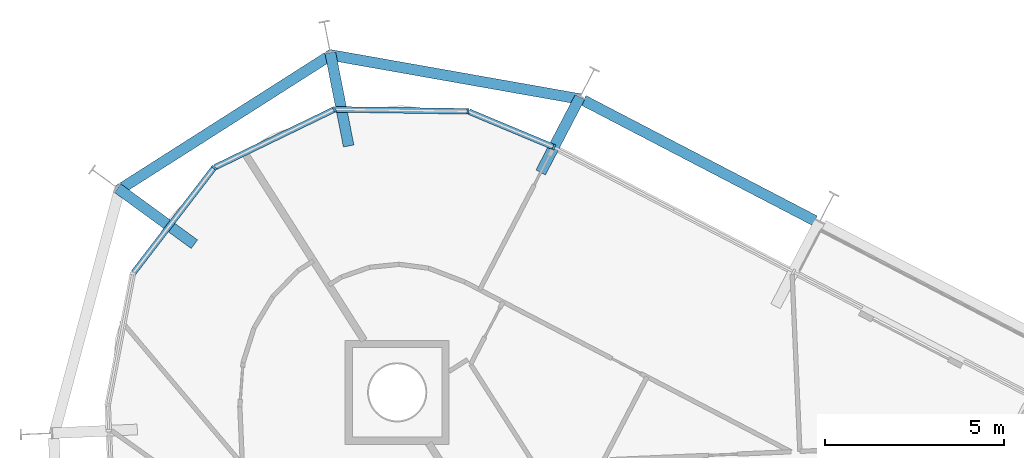
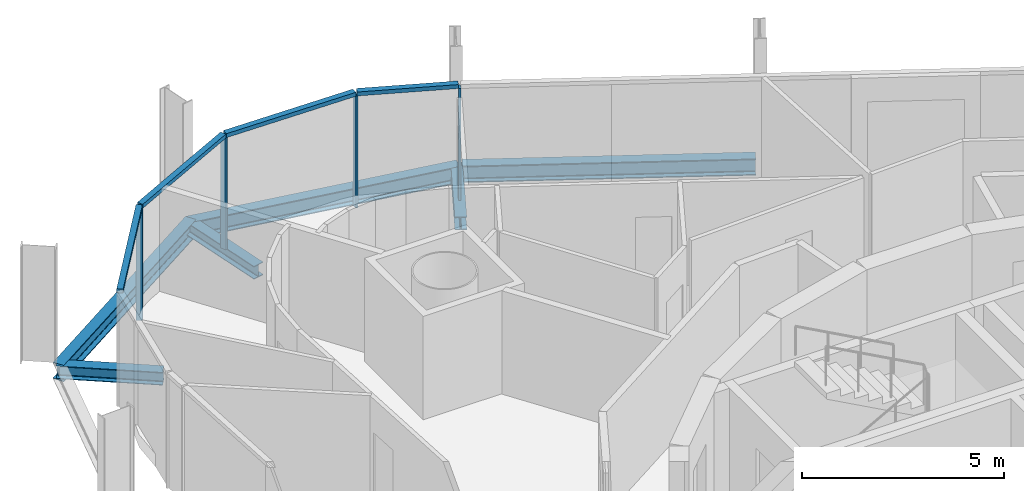
# One storey, part 8 of 18: 8 members, 6 beams, 1 element without a shape of its own.
"""IFC4 building model written with IfcOpenShell, lengths in metres."""

from ifc_helpers import new_model, si_unit, direction, frame, origin, origin_2d, place, context, subcontext, project, spatial, rectangle, i_section, extrude, material, layer, layer_set, material_profile, profile_set, type_object, element, aggregate, save


model = new_model("IFC4")

# Units and contexts
model_context = context("Model", 3, precision=1e-05, world=origin(), true_north=direction((0.0, 1.0)))
body_context = subcontext(model_context, "Body", "Model", "MODEL_VIEW")
ifc_project = project(units=[si_unit("LENGTHUNIT", "METRE"), si_unit("AREAUNIT", "SQUARE_METRE"), si_unit("VOLUMEUNIT", "CUBIC_METRE"), si_unit("PLANEANGLEUNIT", "RADIAN"), si_unit("MASSUNIT", "GRAM", prefix="KILO")], contexts=[model_context])

# Site, building, storey
site_placement = place(None, origin())
site = spatial("IfcSite", under=ifc_project, at=site_placement, CompositionType="ELEMENT")
building_placement = place(site_placement, origin())
building = spatial("IfcBuilding", under=site, at=building_placement, Name="Spindle Arch Residences", CompositionType="ELEMENT")
storey_placement = place(building_placement, frame((0.0, 0.0, 251.199951171875)))
storey = spatial("IfcBuildingStorey", under=building, at=storey_placement, Name="L64", CompositionType="ELEMENT", Elevation=251.199951171875)

# Curtain wall, members
ifc_material_1 = material(Name="Aluminium bronze unitised frame with tinted glass", Category="aluminium")
ifc_layer = layer(ifc_material_1, 0.159912109375)
ifc_layer_set = layer_set([ifc_layer], Name="CW-D corner wall on the fillet arcs")
curtain_wall_type = type_object("IfcCurtainWallType", Name="CW-D corner wall on the fillet arcs", PredefinedType="NOTDEFINED", material=ifc_layer_set)
curtain_wall_placement = place(storey_placement, origin())
curtain_wall = element("IfcCurtainWall", 1, at=curtain_wall_placement, inside=storey, type_object=curtain_wall_type, Name="CW-D L64 run 3", PredefinedType="NOTDEFINED")
ifc_material_2 = material(Name="Aluminium bronze anodised mullion", Category="aluminium")
ifc_material_profile_1 = material_profile(ifc_material_2, rectangle(XDim=0.159912109375, YDim=0.06005859375, at=origin_2d()), Name="MU 60x160")
ifc_profile_set_1 = profile_set([ifc_material_profile_1], Name="Aluminium bronze anodised mullion")
member_type_1 = type_object("IfcMemberType", Name="Bronze mullion 60x160", PredefinedType="MULLION", material=ifc_profile_set_1)
member_1_placement = place(storey_placement, frame((-6.19970703125, 23.423828125, -0.3798828125), z_axis=(0.0, 0.0, 1.0), x_axis=(-0.385552013734, -0.92268610302, 0.0)))
member_1 = element("IfcMember", 2, at=member_1_placement, type_object=member_type_1, Name="CW-D mullion 00", PredefinedType="MULLION", context=body_context, shape_type="SweptSolid", body=[
    extrude(rectangle(XDim=0.159912109375, YDim=0.06005859375, at=origin_2d()), origin(), (0.0, 0.0, 1.0), 3.3798828125),
])
member_2_placement = place(storey_placement, frame((-8.590576171875, 24.422607421875, -0.3798828125), z_axis=(0.0, 0.0, 1.0), x_axis=(-0.014543896145, -0.999894231949, 0.0)))
member_2 = element("IfcMember", 3, at=member_2_placement, type_object=member_type_1, Name="CW-D mullion 01", PredefinedType="MULLION", context=body_context, shape_type="SweptSolid", body=[
    extrude(rectangle(XDim=0.159912109375, YDim=0.06005859375, at=origin_2d()), origin(), (0.0, 0.0, 1.0), 3.3798828125),
])
member_3_placement = place(storey_placement, frame((-12.31689453125, 24.476806640625, -0.3798828125), z_axis=(0.0, 0.0, 1.0), x_axis=(0.435754815677, -0.900065409075, 0.0)))
member_3 = element("IfcMember", 4, at=member_3_placement, type_object=member_type_1, Name="CW-D mullion 02", PredefinedType="MULLION", context=body_context, shape_type="SweptSolid", body=[
    extrude(rectangle(XDim=0.159912109375, YDim=0.06005859375, at=origin_2d()), origin(), (0.0, 0.0, 1.0), 3.3798828125),
])
member_4_placement = place(storey_placement, frame((-15.671142578125, 22.85302734375, -0.3798828125), z_axis=(0.0, 0.0, 1.0), x_axis=(0.793353344679, -0.60876142329, 0.0)))
member_4 = element("IfcMember", 5, at=member_4_placement, type_object=member_type_1, Name="CW-D mullion 03", PredefinedType="MULLION", context=body_context, shape_type="SweptSolid", body=[
    extrude(rectangle(XDim=0.159912109375, YDim=0.06005859375, at=origin_2d()), origin(), (0.0, 0.0, 1.0), 3.3798828125),
])
ifc_material_3 = material(Name="Aluminium bronze anodised transom", Category="aluminium")
ifc_material_profile_2 = material_profile(ifc_material_3, rectangle(XDim=0.159912109375, YDim=0.1201171875, at=origin_2d()), Name="TR 120x160")
ifc_profile_set_2 = profile_set([ifc_material_profile_2], Name="Aluminium bronze anodised transom")
member_type_2 = type_object("IfcMemberType", Name="Bronze transom 120x160", PredefinedType="USERDEFINED", material=ifc_profile_set_2)
member_5_placement = place(storey_placement, frame((-6.2275390625, 23.435302734375, 3.06005859375), z_axis=(-0.922679730335, 0.385567264208, 0.0), x_axis=(-0.385567264208, -0.922679730335, 0.0)))
member_5 = element("IfcMember", 6, at=member_5_placement, type_object=member_type_2, Name="CW-D transom 00", ObjectType="TRANSOM", PredefinedType="USERDEFINED", context=body_context, shape_type="SweptSolid", body=[
    extrude(rectangle(XDim=0.159912109375, YDim=0.1201171875, at=origin_2d()), origin(), (0.0, 0.0, 1.0), 2.531005859375),
])
member_6_placement = place(storey_placement, frame((-8.620361328125, 24.423095703125, 3.06005859375), z_axis=(-0.999893692287, 0.014580950766, 0.0), x_axis=(-0.014580950766, -0.999893692287, 0.0)))
member_6 = element("IfcMember", 7, at=member_6_placement, type_object=member_type_2, Name="CW-D transom 01", ObjectType="TRANSOM", PredefinedType="USERDEFINED", context=body_context, shape_type="SweptSolid", body=[
    extrude(rectangle(XDim=0.159912109375, YDim=0.1201171875, at=origin_2d()), origin(), (0.0, 0.0, 1.0), 3.6669921875),
])
member_7_placement = place(storey_placement, frame((-12.34375, 24.4638671875, 3.06005859375), z_axis=(-0.900053962869, -0.435778457388, 0.0), x_axis=(0.435778457388, -0.900053962869, 0.0)))
member_7 = element("IfcMember", 8, at=member_7_placement, type_object=member_type_2, Name="CW-D transom 02", ObjectType="TRANSOM", PredefinedType="USERDEFINED", context=body_context, shape_type="SweptSolid", body=[
    extrude(rectangle(XDim=0.159912109375, YDim=0.1201171875, at=origin_2d()), origin(), (0.0, 0.0, 1.0), 3.666748046875),
])
member_8_placement = place(storey_placement, frame((-15.689453125, 22.8291015625, 3.06005859375), z_axis=(-0.608773956943, -0.793343727112, 0.0), x_axis=(0.793343727112, -0.608773956943, 0.0)))
member_8 = element("IfcMember", 9, at=member_8_placement, type_object=member_type_2, Name="CW-D transom 03", ObjectType="TRANSOM", PredefinedType="USERDEFINED", context=body_context, shape_type="SweptSolid", body=[
    extrude(rectangle(XDim=0.159912109375, YDim=0.1201171875, at=origin_2d()), origin(), (0.0, 0.0, 1.0), 3.666748046875),
])
aggregate(curtain_wall, [member_1, member_5, member_2, member_6, member_3, member_7, member_4, member_8])

# Beams
ifc_material_4 = material(Name="Steel S460ML, intumescent coating R 120", Category="steel")
ifc_material_profile_3 = material_profile(ifc_material_4, i_section(OverallWidth=0.300048828125, OverallDepth=0.5, WebThickness=0.014404296875, FlangeThickness=0.028076171875, FilletRadius=0.027099609375, at=origin_2d()), Name="HEB 500")
ifc_profile_set_3 = profile_set([ifc_material_profile_3], Name="Steel S460ML, intumescent coating R 120")
beam_type_1 = type_object("IfcBeamType", Name="Exoskeleton edge beam HEB 500", PredefinedType="BEAM", material=ifc_profile_set_3)
beam_1_placement = place(storey_placement, frame((1.0751953125, 21.372802734375, -0.6298828125), z_axis=(-0.887007222688, 0.461755548857, 0.0), x_axis=(-0.461755548857, -0.887007222688, 0.0)))
element("IfcBeam", 10, at=beam_1_placement, inside=storey, type_object=beam_type_1, Name="Exoskeleton edge beam 9", PredefinedType="BEAM", context=body_context, shape_type="SweptSolid", body=[
    extrude(i_section(OverallWidth=0.300048828125, OverallDepth=0.5, WebThickness=0.014404296875, FlangeThickness=0.028076171875, FilletRadius=0.027099609375, at=origin_2d()), origin(), (0.0, 0.0, 1.0), 7.27001953125),
])
beam_2_placement = place(storey_placement, frame((-5.46337890625, 24.762939453125, -0.6298828125), z_axis=(-0.984720537274, 0.174142078404, 0.0), x_axis=(-0.174142078404, -0.984720537274, 0.0)))
element("IfcBeam", 11, at=beam_2_placement, inside=storey, type_object=beam_type_1, Name="Exoskeleton edge beam 10", PredefinedType="BEAM", context=body_context, shape_type="SweptSolid", body=[
    extrude(i_section(OverallWidth=0.300048828125, OverallDepth=0.5, WebThickness=0.014404296875, FlangeThickness=0.028076171875, FilletRadius=0.027099609375, at=origin_2d()), origin(), (0.0, 0.0, 1.0), 7.105224609375),
])
beam_3_placement = place(storey_placement, frame((-12.371337890625, 26.0234375, -0.6298828125), z_axis=(-0.843392249939, -0.537298346119, 0.0), x_axis=(0.537298346119, -0.843392249939, 0.0)))
element("IfcBeam", 12, at=beam_3_placement, inside=storey, type_object=beam_type_1, Name="Exoskeleton edge beam 11", PredefinedType="BEAM", context=body_context, shape_type="SweptSolid", body=[
    extrude(i_section(OverallWidth=0.300048828125, OverallDepth=0.5, WebThickness=0.014404296875, FlangeThickness=0.028076171875, FilletRadius=0.027099609375, at=origin_2d()), origin(), (0.0, 0.0, 1.0), 7.09716796875),
])
ifc_material_5 = material(Name="Steel S460ML, intumescent coating R 120", Category="steel")
ifc_material_profile_4 = material_profile(ifc_material_5, i_section(OverallWidth=0.300048828125, OverallDepth=0.389892578125, WebThickness=0.010986328125, FlangeThickness=0.01904296875, FilletRadius=0.027099609375, at=origin_2d()), Name="HEA 400")
ifc_profile_set_4 = profile_set([ifc_material_profile_4], Name="Steel S460ML, intumescent coating R 120")
beam_type_2 = type_object("IfcBeamType", Name="Floor outrigger HEA 400", PredefinedType="BEAM", material=ifc_profile_set_4)
beam_4_placement = place(storey_placement, frame((-5.474853515625, 24.81640625, -0.574951171875), z_axis=(-0.46171971426, -0.887025876434, 0.0), x_axis=(0.887025876434, -0.46171971426, 0.0)))
element("IfcBeam", 13, at=beam_4_placement, inside=storey, type_object=beam_type_2, Name="Floor outrigger 10", PredefinedType="BEAM", context=body_context, shape_type="SweptSolid", body=[
    extrude(i_section(OverallWidth=0.300048828125, OverallDepth=0.389892578125, WebThickness=0.010986328125, FlangeThickness=0.01904296875, FilletRadius=0.027099609375, at=origin_2d()), origin(), (0.0, 0.0, 1.0), 2.36669921875),
])
beam_5_placement = place(storey_placement, frame((-12.4326171875, 26.056640625, -0.574951171875), z_axis=(0.193191977973, -0.981160975399, 0.0), x_axis=(0.981160975399, 0.193191977973, 0.0)))
element("IfcBeam", 14, at=beam_5_placement, inside=storey, type_object=beam_type_2, Name="Floor outrigger 11", PredefinedType="BEAM", context=body_context, shape_type="SweptSolid", body=[
    extrude(i_section(OverallWidth=0.300048828125, OverallDepth=0.389892578125, WebThickness=0.010986328125, FlangeThickness=0.01904296875, FilletRadius=0.027099609375, at=origin_2d()), origin(), (0.0, 0.0, 1.0), 2.64990234375),
])
beam_6_placement = place(storey_placement, frame((-18.361083984375, 22.27978515625, -0.574951171875), z_axis=(0.807563254959, -0.589780967174, 0.0), x_axis=(0.589780967174, 0.807563254959, 0.0)))
element("IfcBeam", 15, at=beam_6_placement, inside=storey, type_object=beam_type_2, Name="Floor outrigger 12", PredefinedType="BEAM", context=body_context, shape_type="SweptSolid", body=[
    extrude(i_section(OverallWidth=0.300048828125, OverallDepth=0.389892578125, WebThickness=0.010986328125, FlangeThickness=0.01904296875, FilletRadius=0.027099609375, at=origin_2d()), origin(), (0.0, 0.0, 1.0), 2.650146484375),
])

save(model, "model.ifc")
